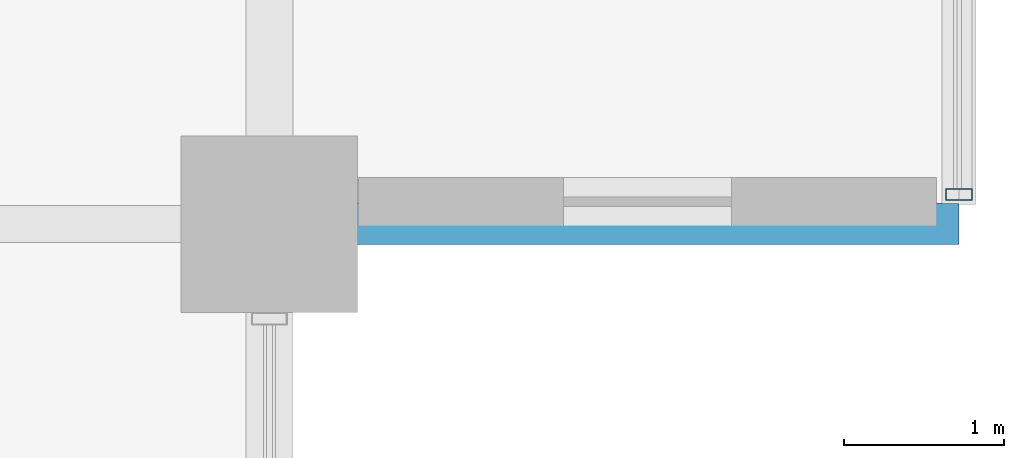
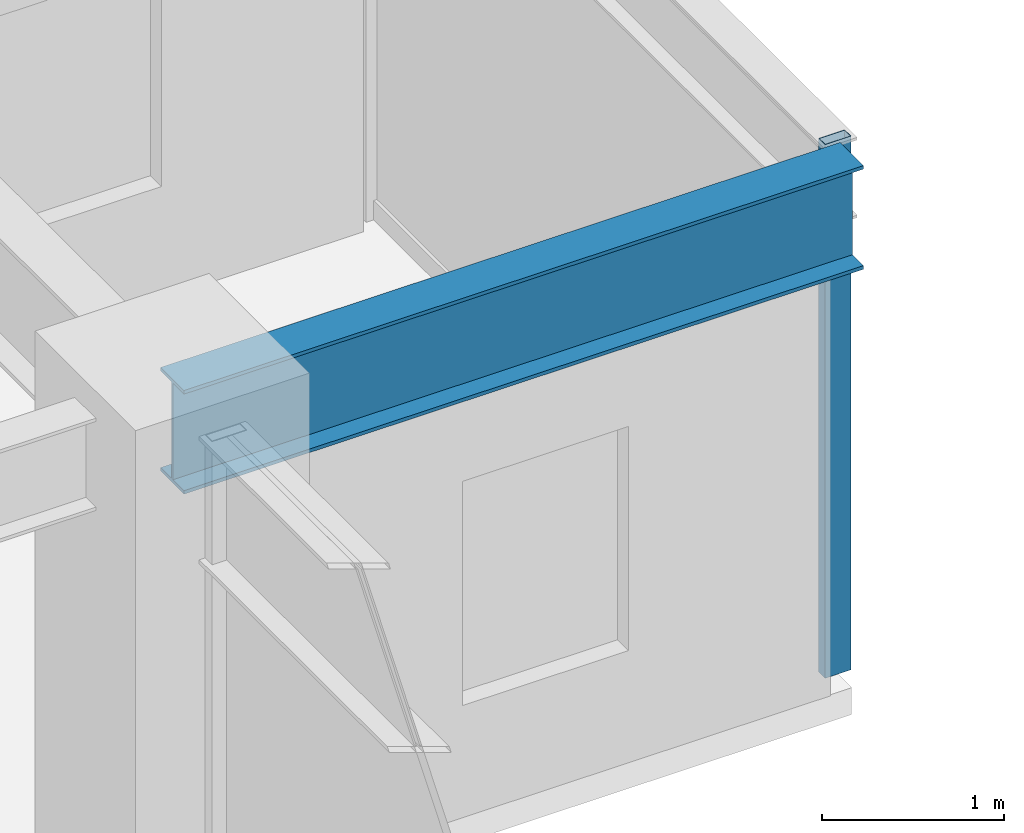
# One storey, part 11 of 29: 1 beam, 1 member, 1 element without a shape of its own.
"""IFC4 building model written with IfcOpenShell, lengths in metres."""

from ifc_helpers import new_model, si_unit, direction, frame, origin, origin_2d, place, context, subcontext, project, spatial, hollow_rectangle, i_section, extrude, material, layer, layer_set, material_profile, profile_set, type_object, element, aggregate, save


model = new_model("IFC4")

# Units and contexts
model_context = context("Model", 3, precision=1e-05, world=origin(), true_north=direction((0.0, 1.0)))
body_context = subcontext(model_context, "Body", "Model", "MODEL_VIEW")
ifc_project = project(units=[si_unit("LENGTHUNIT", "METRE"), si_unit("AREAUNIT", "SQUARE_METRE"), si_unit("VOLUMEUNIT", "CUBIC_METRE"), si_unit("PLANEANGLEUNIT", "RADIAN"), si_unit("MASSUNIT", "GRAM", prefix="KILO")], contexts=[model_context])

# Site, building, storey
site_placement = place(None, origin())
site = spatial("IfcSite", under=ifc_project, at=site_placement, CompositionType="ELEMENT")
building_placement = place(site_placement, origin())
building = spatial("IfcBuilding", under=site, at=building_placement, Name="Surkhivell Harbour Commons", CompositionType="ELEMENT")
storey_placement = place(building_placement, frame((0.0, 0.0, 87.0)))
storey = spatial("IfcBuildingStorey", under=building, at=storey_placement, Name="L22", CompositionType="ELEMENT", Elevation=87.0)

# Beam
ifc_material_1 = material(Name="Steel S460", Category="steel")
ifc_material_profile_1 = material_profile(ifc_material_1, i_section(OverallWidth=0.256103515625, OverallDepth=0.693115234375, WebThickness=0.014404296875, FlangeThickness=0.023681640625, at=origin_2d()), Name="UB686x254x170")
ifc_profile_set_1 = profile_set([ifc_material_profile_1], Name="Steel S460")
beam_type = type_object("IfcBeamType", Name="BM-CNT-686", PredefinedType="BEAM", material=ifc_profile_set_1)
beam_placement = place(storey_placement, frame((21.60009765625, 5.39990234375, 3.223388671875), z_axis=(1.0, 0.0, 0.0), x_axis=(0.0, 1.0, 0.0)))
element("IfcBeam", 1, at=beam_placement, inside=storey, type_object=beam_type, Name="L22 Box Cantilever Outrigger (21.6,5.4)", PredefinedType="BEAM", context=body_context, shape_type="SweptSolid", body=[
    extrude(i_section(OverallWidth=0.256103515625, OverallDepth=0.693115234375, WebThickness=0.014404296875, FlangeThickness=0.023681640625, at=origin_2d()), origin(), (0.0, 0.0, 1.0), 4.2998046875),
])

# Curtain wall, member
ifc_material_2 = material(Name="Anodised pale-metal aluminium and insulated glazing", Category="aluminium")
ifc_layer = layer(ifc_material_2, 0.1650390625)
ifc_layer_set = layer_set([ifc_layer], Name="Anodised pale-metal aluminium and insulated glazing")
curtain_wall_type = type_object("IfcCurtainWallType", Name="CW-SYS-BOX", PredefinedType="NOTDEFINED", material=ifc_layer_set)
curtain_wall_placement = place(storey_placement, origin())
curtain_wall = element("IfcCurtainWall", 2, at=curtain_wall_placement, inside=storey, type_object=curtain_wall_type, Name="L22 Curtain Wall CW-L22-BOX01", PredefinedType="NOTDEFINED")
ifc_material_3 = material(Name="Champagne anodised aluminium alloy 6063-T6", Category="aluminium")
ifc_material_profile_2 = material_profile(ifc_material_3, hollow_rectangle(XDim=0.070068359375, YDim=0.1650390625, WallThickness=0.00341796875, at=origin_2d()), Name="ALU-MULL-70x165")
ifc_profile_set_2 = profile_set([ifc_material_profile_2], Name="Champagne anodised aluminium alloy 6063-T6")
member_type = type_object("IfcMemberType", Name="CWM-165", PredefinedType="MULLION", material=ifc_profile_set_2)
member_placement = place(storey_placement, frame((25.89990234375, 5.5849609375, 0.0), z_axis=(0.0, 0.0, 1.0), x_axis=(0.0, 1.0, 0.0)))
member = element("IfcMember", 3, at=member_placement, type_object=member_type, Name="CW-BOX mullion 1", PredefinedType="MULLION", context=body_context, shape_type="SweptSolid", body=[
    extrude(hollow_rectangle(XDim=0.070068359375, YDim=0.1650390625, WallThickness=0.00341796875, at=origin_2d()), origin(), (0.0, 0.0, 1.0), 3.570068359375),
])
aggregate(curtain_wall, [member])

save(model, "model.ifc")
